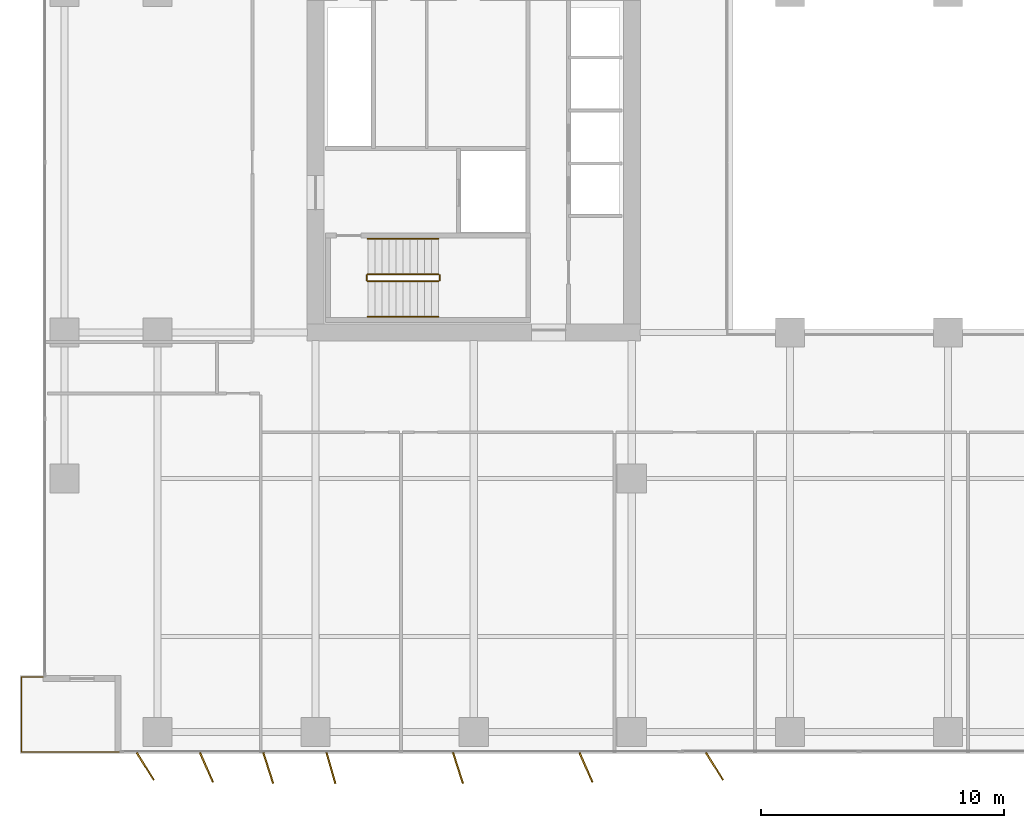
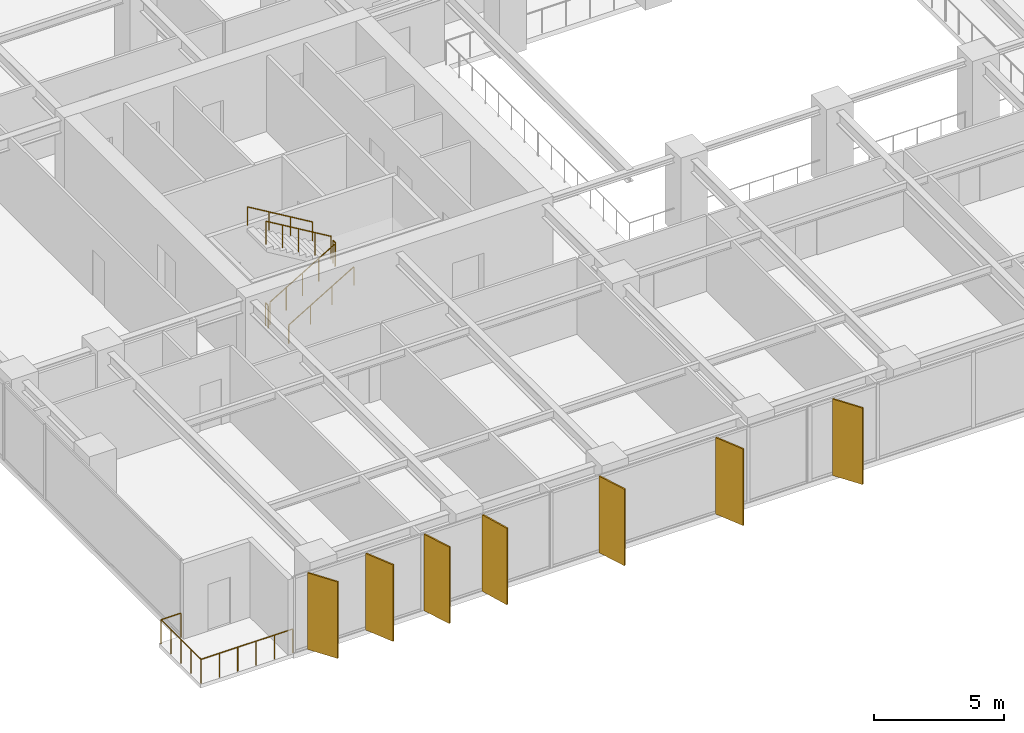
# One storey, part 17 of 20: 7 railings, 7 shading devices.
"""IFC4 building model written with IfcOpenShell, lengths in metres."""

from ifc_helpers import new_model, si_unit, direction, frame, origin, origin_2d, place, context, subcontext, project, spatial, rectangle, circle, extrude, material, layer, layer_set, type_object, element, save


model = new_model("IFC4")

# Units and contexts
model_context = context("Model", 3, precision=1e-05, world=origin(), true_north=direction((0.0, 1.0)))
body_context = subcontext(model_context, "Body", "Model", "MODEL_VIEW")
ifc_project = project(units=[si_unit("LENGTHUNIT", "METRE"), si_unit("AREAUNIT", "SQUARE_METRE"), si_unit("VOLUMEUNIT", "CUBIC_METRE"), si_unit("PLANEANGLEUNIT", "RADIAN"), si_unit("MASSUNIT", "GRAM", prefix="KILO")], contexts=[model_context])

# Site, building, storey
site_placement = place(None, origin())
site = spatial("IfcSite", under=ifc_project, at=site_placement, CompositionType="ELEMENT")
building_placement = place(site_placement, origin())
building = spatial("IfcBuilding", under=site, at=building_placement, Name="Putna Gate Headquarters", CompositionType="ELEMENT")
storey_placement = place(building_placement, frame((0.0, 0.0, 101.199951171875)))
storey = spatial("IfcBuildingStorey", under=building, at=storey_placement, Name="L24", CompositionType="ELEMENT", Elevation=101.199951171875)

# Railings
ifc_material_1 = material(Name="Powder-coated steel stair guardrail", Category="steel")
railing_type_1 = type_object("IfcRailingType", Name="RAIL-STAIR-GUARD-1100", PredefinedType="GUARDRAIL", material=ifc_material_1)
railing_1_placement = place(storey_placement, frame((15.14990234375, 21.10009765625, 0.1728515625)))
element("IfcRailing", 1, at=railing_1_placement, inside=storey, type_object=railing_type_1, Name="L24 ST1 stair guard 1", PredefinedType="GUARDRAIL", context=body_context, shape_type="SweptSolid", body=[
    extrude(circle(Radius=0.02392578125, at=origin_2d()), frame((0.0, 0.0, 1.076171875), z_axis=(0.859160404282, 0.0, 0.51170636083), x_axis=(0.0, 1.0, 0.0)), (0.0, 0.0, 1.0), 3.37548828125),
    extrude(circle(Radius=0.02099609375, at=origin_2d()), origin(), (0.0, 0.0, 1.0), 1.052001953125),
    extrude(circle(Radius=0.02099609375, at=origin_2d()), frame((0.72509765625, 0.0, 0.431884765625)), (0.0, 0.0, 1.0), 1.052001953125),
    extrude(circle(Radius=0.02099609375, at=origin_2d()), frame((1.4501953125, 0.0, 0.86376953125)), (0.0, 0.0, 1.0), 1.052001953125),
    extrude(circle(Radius=0.02099609375, at=origin_2d()), frame((2.175048828125, 0.0, 1.29541015625)), (0.0, 0.0, 1.0), 1.052001953125),
    extrude(circle(Radius=0.02099609375, at=origin_2d()), frame((2.900146484375, 0.0, 1.727294921875)), (0.0, 0.0, 1.0), 1.052001953125),
])
railing_2_placement = place(storey_placement, frame((18.10009765625, 21.14990234375, 1.900146484375)))
element("IfcRailing", 2, at=railing_2_placement, inside=storey, type_object=railing_type_1, Name="L24 ST1 stair guard 2", PredefinedType="GUARDRAIL", context=body_context, shape_type="SweptSolid", body=[
    extrude(circle(Radius=0.02392578125, at=origin_2d()), frame((0.0, 0.0, 1.076171875), z_axis=(0.0, 1.0, 0.0), x_axis=(-1.0, 0.0, 0.0)), (0.0, 0.0, 1.0), 0.2001953125),
    extrude(circle(Radius=0.02099609375, at=origin_2d()), origin(), (0.0, 0.0, 1.0), 1.052001953125),
    extrude(circle(Radius=0.02099609375, at=origin_2d()), frame((0.0, 0.2001953125, 0.0)), (0.0, 0.0, 1.0), 1.052001953125),
])
railing_3_placement = place(storey_placement, frame((18.050048828125, 21.39990234375, 2.07275390625)))
element("IfcRailing", 3, at=railing_3_placement, inside=storey, type_object=railing_type_1, Name="L24 ST1 stair guard 3", PredefinedType="GUARDRAIL", context=body_context, shape_type="SweptSolid", body=[
    extrude(circle(Radius=0.02392578125, at=origin_2d()), frame((0.0, 0.0, 1.076171875), z_axis=(-0.859160404282, 0.0, 0.51170636083), x_axis=(0.0, -1.0, 0.0)), (0.0, 0.0, 1.0), 3.37548828125),
    extrude(circle(Radius=0.02099609375, at=origin_2d()), origin(), (0.0, 0.0, 1.0), 1.052001953125),
    extrude(circle(Radius=0.02099609375, at=origin_2d()), frame((-0.72509765625, 0.0, 0.431884765625)), (0.0, 0.0, 1.0), 1.052001953125),
    extrude(circle(Radius=0.02099609375, at=origin_2d()), frame((-1.4501953125, 0.0, 0.86376953125)), (0.0, 0.0, 1.0), 1.052001953125),
    extrude(circle(Radius=0.02099609375, at=origin_2d()), frame((-2.175048828125, 0.0, 1.29541015625)), (0.0, 0.0, 1.0), 1.052001953125),
    extrude(circle(Radius=0.02099609375, at=origin_2d()), frame((-2.900146484375, 0.0, 1.727294921875)), (0.0, 0.0, 1.0), 1.052001953125),
])
railing_4_placement = place(storey_placement, frame((15.10009765625, 21.14990234375, 0.0)))
element("IfcRailing", 4, at=railing_4_placement, inside=storey, type_object=railing_type_1, Name="L24 ST1 stair guard 4", PredefinedType="GUARDRAIL", context=body_context, shape_type="SweptSolid", body=[
    extrude(circle(Radius=0.02392578125, at=origin_2d()), frame((0.0, 0.0, 1.076171875), z_axis=(0.0, 1.0, 0.0), x_axis=(-1.0, 0.0, 0.0)), (0.0, 0.0, 1.0), 0.2001953125),
    extrude(circle(Radius=0.02099609375, at=origin_2d()), origin(), (0.0, 0.0, 1.0), 1.052001953125),
    extrude(circle(Radius=0.02099609375, at=origin_2d()), frame((0.0, 0.2001953125, 0.0)), (0.0, 0.0, 1.0), 1.052001953125),
])
ifc_material_2 = material(Name="Brushed stainless steel handrail", Category="steel")
railing_type_2 = type_object("IfcRailingType", Name="RAIL-STAIR-HAND-900", PredefinedType="HANDRAIL", material=ifc_material_2)
railing_5_placement = place(storey_placement, frame((15.14990234375, 19.64990234375, 0.1728515625)))
element("IfcRailing", 5, at=railing_5_placement, inside=storey, type_object=railing_type_2, Name="L24 ST1 stair handrail 1", PredefinedType="HANDRAIL", context=body_context, shape_type="SweptSolid", body=[
    extrude(circle(Radius=0.02392578125, at=origin_2d()), frame((0.0, 0.0, 0.8759765625), z_axis=(0.859160404282, 0.0, 0.51170636083), x_axis=(0.0, 1.0, 0.0)), (0.0, 0.0, 1.0), 3.37548828125),
    extrude(circle(Radius=0.02099609375, at=origin_2d()), origin(), (0.0, 0.0, 1.0), 0.851806640625),
    extrude(circle(Radius=0.02099609375, at=origin_2d()), frame((0.966796875, 0.0, 0.57568359375)), (0.0, 0.0, 1.0), 0.851806640625),
    extrude(circle(Radius=0.02099609375, at=origin_2d()), frame((1.933349609375, 0.0, 1.151611328125)), (0.0, 0.0, 1.0), 0.851806640625),
    extrude(circle(Radius=0.02099609375, at=origin_2d()), frame((2.900146484375, 0.0, 1.727294921875)), (0.0, 0.0, 1.0), 0.851806640625),
])
railing_6_placement = place(storey_placement, frame((18.050048828125, 22.85009765625, 2.07275390625)))
element("IfcRailing", 6, at=railing_6_placement, inside=storey, type_object=railing_type_2, Name="L24 ST1 stair handrail 2", PredefinedType="HANDRAIL", context=body_context, shape_type="SweptSolid", body=[
    extrude(circle(Radius=0.02392578125, at=origin_2d()), frame((0.0, 0.0, 0.8759765625), z_axis=(-0.859160404282, 0.0, 0.51170636083), x_axis=(0.0, -1.0, 0.0)), (0.0, 0.0, 1.0), 3.37548828125),
    extrude(circle(Radius=0.02099609375, at=origin_2d()), origin(), (0.0, 0.0, 1.0), 0.851806640625),
    extrude(circle(Radius=0.02099609375, at=origin_2d()), frame((-0.966796875, 0.0, 0.57568359375)), (0.0, 0.0, 1.0), 0.851806640625),
    extrude(circle(Radius=0.02099609375, at=origin_2d()), frame((-1.933349609375, 0.0, 1.151611328125)), (0.0, 0.0, 1.0), 0.851806640625),
    extrude(circle(Radius=0.02099609375, at=origin_2d()), frame((-2.900146484375, 0.0, 1.727294921875)), (0.0, 0.0, 1.0), 0.851806640625),
])
ifc_material_3 = material(Name="Anodised bronze steel and laminated glass guardrail", Category="steel")
railing_type_3 = type_object("IfcRailingType", Name="RAIL-TERR-GUARD-1150", PredefinedType="GUARDRAIL", material=ifc_material_3)
railing_7_placement = place(storey_placement, frame((5.0, 1.760009765625, 0.0)))
element("IfcRailing", 7, at=railing_7_placement, inside=storey, type_object=railing_type_3, Name="L24 Spiral Sky Terrace Guardrail SW", PredefinedType="GUARDRAIL", context=body_context, shape_type="SweptSolid", body=[
    extrude(circle(Radius=0.02392578125, at=origin_2d()), frame((0.0, 0.0, 1.1259765625), z_axis=(-1.0, 0.0, 0.0), x_axis=(0.0, -1.0, 0.0)), (0.0, 0.0, 1.0), 4.090087890625),
    extrude(circle(Radius=0.02392578125, at=origin_2d()), frame((-4.090087890625, 0.0, 1.1259765625), z_axis=(0.0, 1.0, 0.0), x_axis=(-1.0, 0.0, 0.0)), (0.0, 0.0, 1.0), 3.080078125),
    extrude(circle(Radius=0.02392578125, at=origin_2d()), frame((-4.090087890625, 3.080078125, 1.1259765625), z_axis=(1.0, 0.0, 0.0), x_axis=(0.0, 1.0, 0.0)), (0.0, 0.0, 1.0), 0.89013671875),
    extrude(circle(Radius=0.02099609375, at=origin_2d()), origin(), (0.0, 0.0, 1.0), 1.101806640625),
    extrude(circle(Radius=0.02099609375, at=origin_2d()), frame((-0.818115234375, 0.0, 0.0)), (0.0, 0.0, 1.0), 1.101806640625),
    extrude(circle(Radius=0.02099609375, at=origin_2d()), frame((-1.635986328125, 0.0, 0.0)), (0.0, 0.0, 1.0), 1.101806640625),
    extrude(circle(Radius=0.02099609375, at=origin_2d()), frame((-2.4541015625, 0.0, 0.0)), (0.0, 0.0, 1.0), 1.101806640625),
    extrude(circle(Radius=0.02099609375, at=origin_2d()), frame((-3.27197265625, 0.0, 0.0)), (0.0, 0.0, 1.0), 1.101806640625),
    extrude(circle(Radius=0.02099609375, at=origin_2d()), frame((-4.090087890625, 0.0, 0.0)), (0.0, 0.0, 1.0), 1.101806640625),
    extrude(circle(Radius=0.02099609375, at=origin_2d()), frame((-4.090087890625, 0.77001953125, 0.0)), (0.0, 0.0, 1.0), 1.101806640625),
    extrude(circle(Radius=0.02099609375, at=origin_2d()), frame((-4.090087890625, 1.5400390625, 0.0)), (0.0, 0.0, 1.0), 1.101806640625),
    extrude(circle(Radius=0.02099609375, at=origin_2d()), frame((-4.090087890625, 2.31005859375, 0.0)), (0.0, 0.0, 1.0), 1.101806640625),
    extrude(circle(Radius=0.02099609375, at=origin_2d()), frame((-4.090087890625, 3.080078125, 0.0)), (0.0, 0.0, 1.0), 1.101806640625),
    extrude(circle(Radius=0.02099609375, at=origin_2d()), frame((-3.199951171875, 3.080078125, 0.0)), (0.0, 0.0, 1.0), 1.101806640625),
])

# Shading devices
ifc_material_4 = material(Name="Anodised architectural bronze aluminium fin", Category="aluminium")
ifc_layer = layer(ifc_material_4, 0.06494140625)
ifc_layer_set = layer_set([ifc_layer], Name="Anodised architectural bronze aluminium fin")
shading_device_type = type_object("IfcShadingDeviceType", Name="SHADE-BRONZE-FIN-1320", PredefinedType="USERDEFINED", material=ifc_layer_set)
for number, where, z_axis, x_axis, name in (
    (8, (6.000244140625, 1.16552734375, -0.02001953125), (0.0, 0.0, 1.0), (0.530659123936, -0.847585331506, 0.0), "L24 Bronze Vertical Shading Fin S1"),
    (9, (8.514404296875, 1.120361328125, -0.02001953125), (0.0, 0.0, 1.0), (0.400668879095, -0.916222925562, 0.0), "L24 Bronze Vertical Shading Fin S2"),
    (10, (11.0537109375, 1.09716796875, -0.02001953125), (0.0, 0.0, 1.0), (0.308684994204, -0.951164325631, 0.0), "L24 Bronze Vertical Shading Fin S3"),
    (11, (13.6318359375, 1.090576171875, -0.02001953125), (0.0, 0.0, 1.0), (0.275637355817, -0.961261695938, 0.0), "L24 Bronze Vertical Shading Fin S4"),
    (12, (18.853759765625, 1.09716796875, -0.02001953125), (0.0, 0.0, 1.0), (0.308684994204, -0.951164325631, 0.0), "L24 Bronze Vertical Shading Fin S5"),
    (13, (24.114501953125, 1.120361328125, -0.02001953125), (0.0, 0.0, 1.0), (0.400668879095, -0.916222925562, 0.0), "L24 Bronze Vertical Shading Fin S6"),
    (14, (29.400146484375, 1.16552734375, -0.02001953125), (0.0, 0.0, 1.0), (0.530659123936, -0.847585331506, 0.0), "L24 Bronze Vertical Shading Fin S7"),
):
    element("IfcShadingDevice", number, at=place(storey_placement, frame(where, z_axis=z_axis, x_axis=x_axis)), inside=storey, type_object=shading_device_type, Name=name, ObjectType="FIN", PredefinedType="USERDEFINED", context=body_context, shape_type="SweptSolid", body=[
        extrude(rectangle(XDim=1.320068359375, YDim=0.06494140625, at=origin_2d()), origin(), (0.0, 0.0, 1.0), 3.60498046875),
    ])

save(model, "model.ifc")
